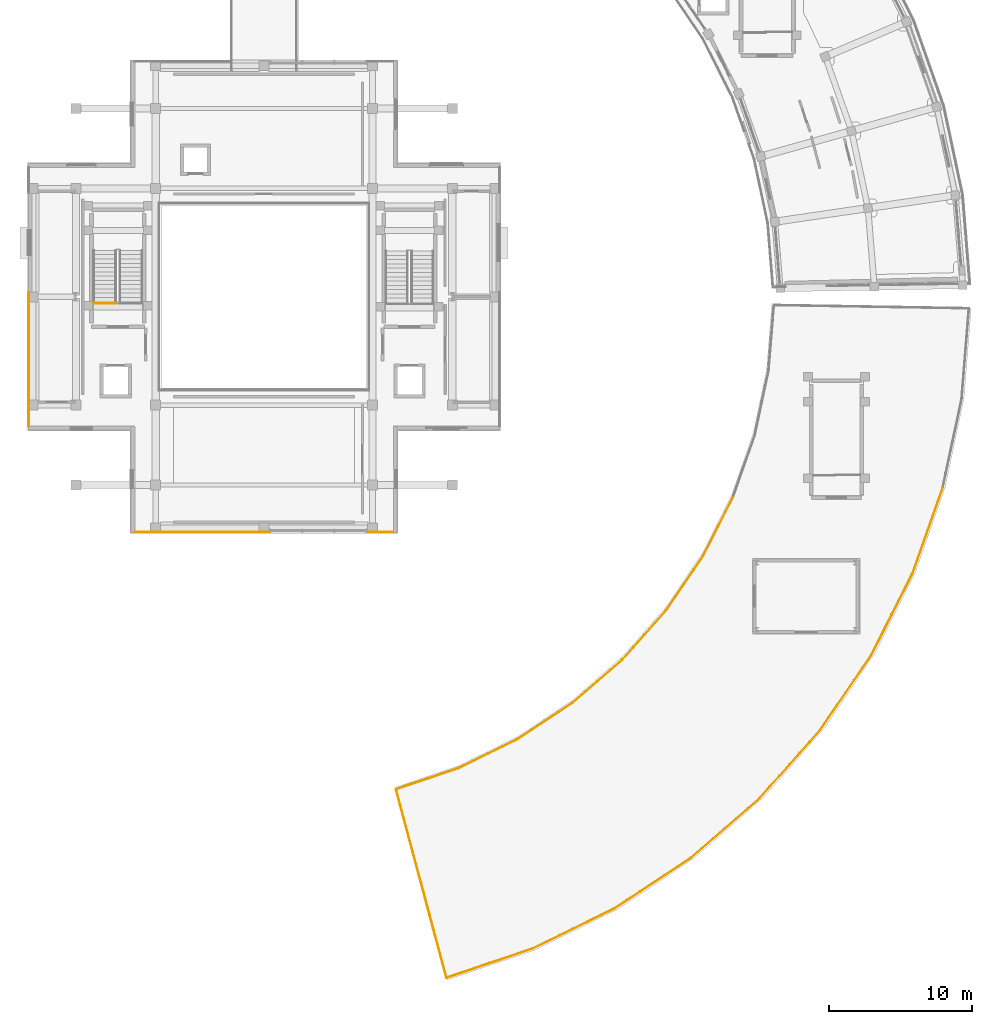
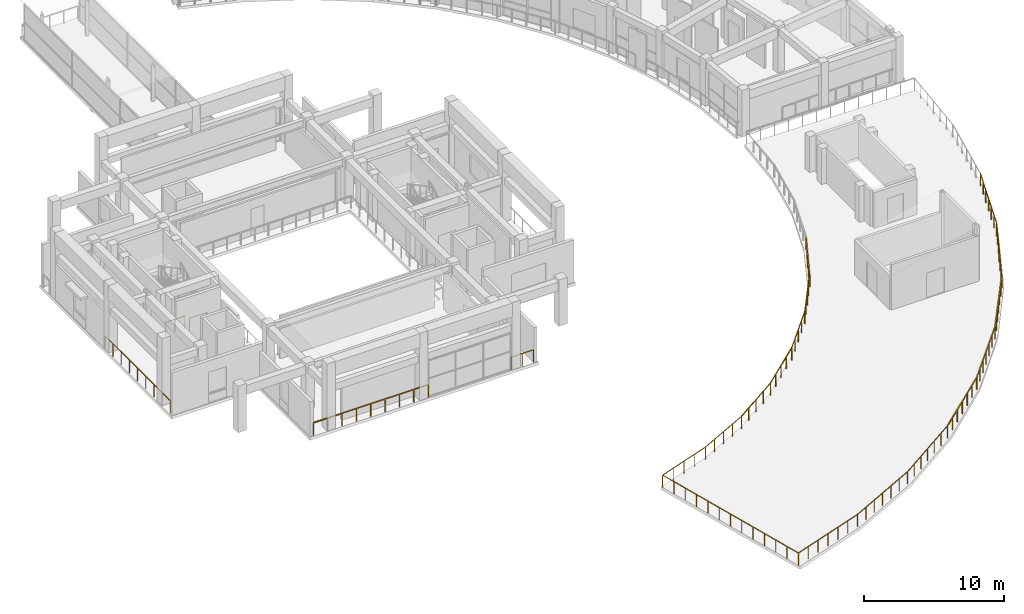
# One storey, part 23 of 29: 20 railings.
"""IFC4 building model written with IfcOpenShell, lengths in metres."""

from ifc_helpers import new_model, si_unit, direction, frame, origin, origin_2d, place, context, subcontext, project, spatial, rectangle, extrude, material, layer, layer_set, type_object, element, save


model = new_model("IFC4")

# Units and contexts
model_context = context("Model", 3, precision=1e-05, world=origin(), true_north=direction((0.0, 1.0)))
body_context = subcontext(model_context, "Body", "Model", "MODEL_VIEW")
ifc_project = project(units=[si_unit("LENGTHUNIT", "METRE"), si_unit("AREAUNIT", "SQUARE_METRE"), si_unit("VOLUMEUNIT", "CUBIC_METRE"), si_unit("PLANEANGLEUNIT", "RADIAN"), si_unit("MASSUNIT", "GRAM", prefix="KILO")], contexts=[model_context])

# Site, building, storey
site_placement = place(None, origin())
site = spatial("IfcSite", under=ifc_project, at=site_placement, CompositionType="ELEMENT")
building_placement = place(site_placement, origin())
building = spatial("IfcBuilding", under=site, at=building_placement, Name="Saryqyr Civic Hall", CompositionType="ELEMENT")
storey_placement = place(building_placement, frame((0.0, 0.0, 25.35009765625)))
storey = spatial("IfcBuildingStorey", under=building, at=storey_placement, Name="L06", CompositionType="ELEMENT", Elevation=25.35009765625)

# Railings
ifc_material_1 = material(Name="Stainless steel and laminated glass", Category="steel")
ifc_layer_1 = layer(ifc_material_1, 0.06005859375, Name="Stainless steel and laminated glass")
ifc_layer_set_1 = layer_set([ifc_layer_1], Name="Stainless steel and laminated glass")
railing_type_1 = type_object("IfcRailingType", Name="ENV-RLG-BAL-1100", PredefinedType="BALUSTRADE", material=ifc_layer_set_1)
railing_1_placement = place(storey_placement, frame((69.7958984375, 36.24462890625, 0.0)))
element("IfcRailing", 1, at=railing_1_placement, inside=storey, type_object=railing_type_1, Name="Perimeter safety balustrade V5-RG-L06-G01", PredefinedType="BALUSTRADE", context=body_context, shape_type="SweptSolid", body=[
    extrude(rectangle(XDim=0.048095703125, YDim=0.048095703125, at=origin_2d()), frame((0.0, 0.0, 1.076171875), z_axis=(0.947200963507, 0.320640507002, 0.0), x_axis=(-0.320640507002, 0.947200963507, 0.0)), (0.0, 0.0, 1.0), 6.38525390625),
    extrude(rectangle(XDim=0.0419921875, YDim=0.0419921875, at=origin_2d()), origin(), (0.0, 0.0, 1.0), 1.052001953125),
    extrude(rectangle(XDim=0.0419921875, YDim=0.0419921875, at=origin_2d()), frame((1.008056640625, 0.34130859375, 0.0)), (0.0, 0.0, 1.0), 1.052001953125),
    extrude(rectangle(XDim=0.0419921875, YDim=0.0419921875, at=origin_2d()), frame((2.01611328125, 0.682373046875, 0.0)), (0.0, 0.0, 1.0), 1.052001953125),
    extrude(rectangle(XDim=0.0419921875, YDim=0.0419921875, at=origin_2d()), frame((3.02392578125, 1.023681640625, 0.0)), (0.0, 0.0, 1.0), 1.052001953125),
    extrude(rectangle(XDim=0.0419921875, YDim=0.0419921875, at=origin_2d()), frame((4.031982421875, 1.364990234375, 0.0)), (0.0, 0.0, 1.0), 1.052001953125),
    extrude(rectangle(XDim=0.0419921875, YDim=0.0419921875, at=origin_2d()), frame((5.0400390625, 1.7060546875, 0.0)), (0.0, 0.0, 1.0), 1.052001953125),
    extrude(rectangle(XDim=0.0419921875, YDim=0.0419921875, at=origin_2d()), frame((6.048095703125, 2.04736328125, 0.0)), (0.0, 0.0, 1.0), 1.052001953125),
])
railing_2_placement = place(storey_placement, frame((75.843994140625, 38.2919921875, 0.0)))
element("IfcRailing", 2, at=railing_2_placement, inside=storey, type_object=railing_type_1, Name="Perimeter safety balustrade V5-RG-L06-G02", PredefinedType="BALUSTRADE", context=body_context, shape_type="SweptSolid", body=[
    extrude(rectangle(XDim=0.048095703125, YDim=0.048095703125, at=origin_2d()), frame((0.0, 0.0, 1.076171875), z_axis=(0.89796220007, 0.440072593154, 0.0), x_axis=(-0.440072593154, 0.89796220007, 0.0)), (0.0, 0.0, 1.0), 6.385498046875),
    extrude(rectangle(XDim=0.0419921875, YDim=0.0419921875, at=origin_2d()), origin(), (0.0, 0.0, 1.0), 1.052001953125),
    extrude(rectangle(XDim=0.0419921875, YDim=0.0419921875, at=origin_2d()), frame((0.95556640625, 0.46826171875, 0.0)), (0.0, 0.0, 1.0), 1.052001953125),
    extrude(rectangle(XDim=0.0419921875, YDim=0.0419921875, at=origin_2d()), frame((1.911376953125, 0.936767578125, 0.0)), (0.0, 0.0, 1.0), 1.052001953125),
    extrude(rectangle(XDim=0.0419921875, YDim=0.0419921875, at=origin_2d()), frame((2.866943359375, 1.405029296875, 0.0)), (0.0, 0.0, 1.0), 1.052001953125),
    extrude(rectangle(XDim=0.0419921875, YDim=0.0419921875, at=origin_2d()), frame((3.822509765625, 1.873291015625, 0.0)), (0.0, 0.0, 1.0), 1.052001953125),
    extrude(rectangle(XDim=0.0419921875, YDim=0.0419921875, at=origin_2d()), frame((4.7783203125, 2.341796875, 0.0)), (0.0, 0.0, 1.0), 1.052001953125),
    extrude(rectangle(XDim=0.0419921875, YDim=0.0419921875, at=origin_2d()), frame((5.73388671875, 2.81005859375, 0.0)), (0.0, 0.0, 1.0), 1.052001953125),
])
railing_3_placement = place(storey_placement, frame((81.577880859375, 41.10205078125, 0.0)))
element("IfcRailing", 3, at=railing_3_placement, inside=storey, type_object=railing_type_1, Name="Perimeter safety balustrade V5-RG-L06-G03", PredefinedType="BALUSTRADE", context=body_context, shape_type="SweptSolid", body=[
    extrude(rectangle(XDim=0.048095703125, YDim=0.048095703125, at=origin_2d()), frame((0.0, 0.0, 1.076171875), z_axis=(0.833763962863, 0.552121050342, 0.0), x_axis=(-0.552121050342, 0.833763962863, 0.0)), (0.0, 0.0, 1.0), 6.38525390625),
    extrude(rectangle(XDim=0.0419921875, YDim=0.0419921875, at=origin_2d()), origin(), (0.0, 0.0, 1.0), 1.052001953125),
    extrude(rectangle(XDim=0.0419921875, YDim=0.0419921875, at=origin_2d()), frame((0.88720703125, 0.587646484375, 0.0)), (0.0, 0.0, 1.0), 1.052001953125),
    extrude(rectangle(XDim=0.0419921875, YDim=0.0419921875, at=origin_2d()), frame((1.774658203125, 1.175048828125, 0.0)), (0.0, 0.0, 1.0), 1.052001953125),
    extrude(rectangle(XDim=0.0419921875, YDim=0.0419921875, at=origin_2d()), frame((2.661865234375, 1.7626953125, 0.0)), (0.0, 0.0, 1.0), 1.052001953125),
    extrude(rectangle(XDim=0.0419921875, YDim=0.0419921875, at=origin_2d()), frame((3.549072265625, 2.350341796875, 0.0)), (0.0, 0.0, 1.0), 1.052001953125),
    extrude(rectangle(XDim=0.0419921875, YDim=0.0419921875, at=origin_2d()), frame((4.4365234375, 2.937744140625, 0.0)), (0.0, 0.0, 1.0), 1.052001953125),
    extrude(rectangle(XDim=0.0419921875, YDim=0.0419921875, at=origin_2d()), frame((5.32373046875, 3.525390625, 0.0)), (0.0, 0.0, 1.0), 1.052001953125),
])
railing_4_placement = place(storey_placement, frame((86.901611328125, 44.62744140625, 0.0)))
element("IfcRailing", 4, at=railing_4_placement, inside=storey, type_object=railing_type_1, Name="Perimeter safety balustrade V5-RG-L06-G04", PredefinedType="BALUSTRADE", context=body_context, shape_type="SweptSolid", body=[
    extrude(rectangle(XDim=0.048095703125, YDim=0.048095703125, at=origin_2d()), frame((0.0, 0.0, 1.076171875), z_axis=(0.755666374545, 0.654956739321, 0.0), x_axis=(-0.654956739321, 0.755666374545, 0.0)), (0.0, 0.0, 1.0), 6.38525390625),
    extrude(rectangle(XDim=0.0419921875, YDim=0.0419921875, at=origin_2d()), origin(), (0.0, 0.0, 1.0), 1.052001953125),
    extrude(rectangle(XDim=0.0419921875, YDim=0.0419921875, at=origin_2d()), frame((0.80419921875, 0.697021484375, 0.0)), (0.0, 0.0, 1.0), 1.052001953125),
    extrude(rectangle(XDim=0.0419921875, YDim=0.0419921875, at=origin_2d()), frame((1.6083984375, 1.39404296875, 0.0)), (0.0, 0.0, 1.0), 1.052001953125),
    extrude(rectangle(XDim=0.0419921875, YDim=0.0419921875, at=origin_2d()), frame((2.41259765625, 2.091064453125, 0.0)), (0.0, 0.0, 1.0), 1.052001953125),
    extrude(rectangle(XDim=0.0419921875, YDim=0.0419921875, at=origin_2d()), frame((3.216796875, 2.7880859375, 0.0)), (0.0, 0.0, 1.0), 1.052001953125),
    extrude(rectangle(XDim=0.0419921875, YDim=0.0419921875, at=origin_2d()), frame((4.02099609375, 3.485107421875, 0.0)), (0.0, 0.0, 1.0), 1.052001953125),
    extrude(rectangle(XDim=0.0419921875, YDim=0.0419921875, at=origin_2d()), frame((4.8251953125, 4.18212890625, 0.0)), (0.0, 0.0, 1.0), 1.052001953125),
])
railing_5_placement = place(storey_placement, frame((91.726806640625, 48.8095703125, 0.0)))
element("IfcRailing", 5, at=railing_5_placement, inside=storey, type_object=railing_type_1, Name="Perimeter safety balustrade V5-RG-L06-G05", PredefinedType="BALUSTRADE", context=body_context, shape_type="SweptSolid", body=[
    extrude(rectangle(XDim=0.048095703125, YDim=0.048095703125, at=origin_2d()), frame((0.0, 0.0, 1.076171875), z_axis=(0.664928490905, 0.746907023654, 0.0), x_axis=(-0.746907023654, 0.664928490905, 0.0)), (0.0, 0.0, 1.0), 6.385009765625),
    extrude(rectangle(XDim=0.0419921875, YDim=0.0419921875, at=origin_2d()), origin(), (0.0, 0.0, 1.0), 1.052001953125),
    extrude(rectangle(XDim=0.0419921875, YDim=0.0419921875, at=origin_2d()), frame((0.70751953125, 0.794921875, 0.0)), (0.0, 0.0, 1.0), 1.052001953125),
    extrude(rectangle(XDim=0.0419921875, YDim=0.0419921875, at=origin_2d()), frame((1.415283203125, 1.589599609375, 0.0)), (0.0, 0.0, 1.0), 1.052001953125),
    extrude(rectangle(XDim=0.0419921875, YDim=0.0419921875, at=origin_2d()), frame((2.122802734375, 2.384521484375, 0.0)), (0.0, 0.0, 1.0), 1.052001953125),
    extrude(rectangle(XDim=0.0419921875, YDim=0.0419921875, at=origin_2d()), frame((2.830322265625, 3.179443359375, 0.0)), (0.0, 0.0, 1.0), 1.052001953125),
    extrude(rectangle(XDim=0.0419921875, YDim=0.0419921875, at=origin_2d()), frame((3.5380859375, 3.97412109375, 0.0)), (0.0, 0.0, 1.0), 1.052001953125),
    extrude(rectangle(XDim=0.0419921875, YDim=0.0419921875, at=origin_2d()), frame((4.24560546875, 4.76904296875, 0.0)), (0.0, 0.0, 1.0), 1.052001953125),
])
railing_6_placement = place(storey_placement, frame((95.972412109375, 53.57861328125, 0.0)))
element("IfcRailing", 6, at=railing_6_placement, inside=storey, type_object=railing_type_1, Name="Perimeter safety balustrade V5-RG-L06-G06", PredefinedType="BALUSTRADE", context=body_context, shape_type="SweptSolid", body=[
    extrude(rectangle(XDim=0.048095703125, YDim=0.048095703125, at=origin_2d()), frame((0.0, 0.0, 1.076171875), z_axis=(0.563150547004, 0.826354319532, 0.0), x_axis=(-0.826354319532, 0.563150547004, 0.0)), (0.0, 0.0, 1.0), 6.385498046875),
    extrude(rectangle(XDim=0.0419921875, YDim=0.0419921875, at=origin_2d()), origin(), (0.0, 0.0, 1.0), 1.052001953125),
    extrude(rectangle(XDim=0.0419921875, YDim=0.0419921875, at=origin_2d()), frame((0.599365234375, 0.87939453125, 0.0)), (0.0, 0.0, 1.0), 1.052001953125),
    extrude(rectangle(XDim=0.0419921875, YDim=0.0419921875, at=origin_2d()), frame((1.19873046875, 1.7587890625, 0.0)), (0.0, 0.0, 1.0), 1.052001953125),
    extrude(rectangle(XDim=0.0419921875, YDim=0.0419921875, at=origin_2d()), frame((1.7978515625, 2.63818359375, 0.0)), (0.0, 0.0, 1.0), 1.052001953125),
    extrude(rectangle(XDim=0.0419921875, YDim=0.0419921875, at=origin_2d()), frame((2.397216796875, 3.517822265625, 0.0)), (0.0, 0.0, 1.0), 1.052001953125),
    extrude(rectangle(XDim=0.0419921875, YDim=0.0419921875, at=origin_2d()), frame((2.99658203125, 4.397216796875, 0.0)), (0.0, 0.0, 1.0), 1.052001953125),
    extrude(rectangle(XDim=0.0419921875, YDim=0.0419921875, at=origin_2d()), frame((3.595947265625, 5.276611328125, 0.0)), (0.0, 0.0, 1.0), 1.052001953125),
])
railing_7_placement = place(storey_placement, frame((99.568359375, 58.855224609375, 0.0)))
element("IfcRailing", 7, at=railing_7_placement, inside=storey, type_object=railing_type_1, Name="Perimeter safety balustrade V5-RG-L06-G07", PredefinedType="BALUSTRADE", context=body_context, shape_type="SweptSolid", body=[
    extrude(rectangle(XDim=0.048095703125, YDim=0.048095703125, at=origin_2d()), frame((0.0, 0.0, 1.076171875), z_axis=(0.451902725354, 0.89206722102, 0.0), x_axis=(-0.89206722102, 0.451902725354, 0.0)), (0.0, 0.0, 1.0), 6.38525390625),
    extrude(rectangle(XDim=0.0419921875, YDim=0.0419921875, at=origin_2d()), origin(), (0.0, 0.0, 1.0), 1.052001953125),
    extrude(rectangle(XDim=0.0419921875, YDim=0.0419921875, at=origin_2d()), frame((0.48095703125, 0.94921875, 0.0)), (0.0, 0.0, 1.0), 1.052001953125),
    extrude(rectangle(XDim=0.0419921875, YDim=0.0419921875, at=origin_2d()), frame((0.9619140625, 1.898681640625, 0.0)), (0.0, 0.0, 1.0), 1.052001953125),
    extrude(rectangle(XDim=0.0419921875, YDim=0.0419921875, at=origin_2d()), frame((1.44287109375, 2.84814453125, 0.0)), (0.0, 0.0, 1.0), 1.052001953125),
    extrude(rectangle(XDim=0.0419921875, YDim=0.0419921875, at=origin_2d()), frame((1.923583984375, 3.79736328125, 0.0)), (0.0, 0.0, 1.0), 1.052001953125),
    extrude(rectangle(XDim=0.0419921875, YDim=0.0419921875, at=origin_2d()), frame((2.404541015625, 4.74658203125, 0.0)), (0.0, 0.0, 1.0), 1.052001953125),
    extrude(rectangle(XDim=0.0419921875, YDim=0.0419921875, at=origin_2d()), frame((2.885498046875, 5.696044921875, 0.0)), (0.0, 0.0, 1.0), 1.052001953125),
])
railing_8_placement = place(storey_placement, frame((102.453857421875, 64.55126953125, 0.0)))
element("IfcRailing", 8, at=railing_8_placement, inside=storey, type_object=railing_type_1, Name="Perimeter safety balustrade V5-RG-L06-G08", PredefinedType="BALUSTRADE", context=body_context, shape_type="SweptSolid", body=[
    extrude(rectangle(XDim=0.048095703125, YDim=0.048095703125, at=origin_2d()), frame((0.0, 0.0, 1.076171875), z_axis=(0.333176087324, 0.94286462169, 0.0), x_axis=(-0.94286462169, 0.333176087324, 0.0)), (0.0, 0.0, 1.0), 6.38525390625),
    extrude(rectangle(XDim=0.0419921875, YDim=0.0419921875, at=origin_2d()), origin(), (0.0, 0.0, 1.0), 1.052001953125),
    extrude(rectangle(XDim=0.0419921875, YDim=0.0419921875, at=origin_2d()), frame((0.3544921875, 1.00341796875, 0.0)), (0.0, 0.0, 1.0), 1.052001953125),
    extrude(rectangle(XDim=0.0419921875, YDim=0.0419921875, at=origin_2d()), frame((0.709228515625, 2.0068359375, 0.0)), (0.0, 0.0, 1.0), 1.052001953125),
    extrude(rectangle(XDim=0.0419921875, YDim=0.0419921875, at=origin_2d()), frame((1.063720703125, 3.01025390625, 0.0)), (0.0, 0.0, 1.0), 1.052001953125),
    extrude(rectangle(XDim=0.0419921875, YDim=0.0419921875, at=origin_2d()), frame((1.418212890625, 4.013671875, 0.0)), (0.0, 0.0, 1.0), 1.052001953125),
    extrude(rectangle(XDim=0.0419921875, YDim=0.0419921875, at=origin_2d()), frame((1.77294921875, 5.01708984375, 0.0)), (0.0, 0.0, 1.0), 1.052001953125),
    extrude(rectangle(XDim=0.0419921875, YDim=0.0419921875, at=origin_2d()), frame((2.12744140625, 6.0205078125, 0.0)), (0.0, 0.0, 1.0), 1.052001953125),
])
railing_9_placement = place(storey_placement, frame((89.876953125, 69.9326171875, 0.0)))
element("IfcRailing", 9, at=railing_9_placement, inside=storey, type_object=railing_type_1, Name="Perimeter safety balustrade V5-RG-L06-G15", PredefinedType="BALUSTRADE", context=body_context, shape_type="SweptSolid", body=[
    extrude(rectangle(XDim=0.048095703125, YDim=0.048095703125, at=origin_2d()), frame((0.0, 0.0, 1.076171875), z_axis=(-0.451922728411, -0.892057087605, 0.0), x_axis=(0.892057087605, -0.451922728411, 0.0)), (0.0, 0.0, 1.0), 4.618408203125),
    extrude(rectangle(XDim=0.0419921875, YDim=0.0419921875, at=origin_2d()), origin(), (0.0, 0.0, 1.0), 1.052001953125),
    extrude(rectangle(XDim=0.0419921875, YDim=0.0419921875, at=origin_2d()), frame((-0.521728515625, -1.030029296875, 0.0)), (0.0, 0.0, 1.0), 1.052001953125),
    extrude(rectangle(XDim=0.0419921875, YDim=0.0419921875, at=origin_2d()), frame((-1.04345703125, -2.06005859375, 0.0)), (0.0, 0.0, 1.0), 1.052001953125),
    extrude(rectangle(XDim=0.0419921875, YDim=0.0419921875, at=origin_2d()), frame((-1.5654296875, -3.08984375, 0.0)), (0.0, 0.0, 1.0), 1.052001953125),
    extrude(rectangle(XDim=0.0419921875, YDim=0.0419921875, at=origin_2d()), frame((-2.087158203125, -4.119873046875, 0.0)), (0.0, 0.0, 1.0), 1.052001953125),
])
railing_10_placement = place(storey_placement, frame((87.789794921875, 65.812744140625, 0.0)))
element("IfcRailing", 10, at=railing_10_placement, inside=storey, type_object=railing_type_1, Name="Perimeter safety balustrade V5-RG-L06-G16", PredefinedType="BALUSTRADE", context=body_context, shape_type="SweptSolid", body=[
    extrude(rectangle(XDim=0.048095703125, YDim=0.048095703125, at=origin_2d()), frame((0.0, 0.0, 1.076171875), z_axis=(-0.563125214189, -0.826371582973, 0.0), x_axis=(0.826371582973, -0.563125214189, 0.0)), (0.0, 0.0, 1.0), 4.61865234375),
    extrude(rectangle(XDim=0.0419921875, YDim=0.0419921875, at=origin_2d()), origin(), (0.0, 0.0, 1.0), 1.052001953125),
    extrude(rectangle(XDim=0.0419921875, YDim=0.0419921875, at=origin_2d()), frame((-0.650146484375, -0.9541015625, 0.0)), (0.0, 0.0, 1.0), 1.052001953125),
    extrude(rectangle(XDim=0.0419921875, YDim=0.0419921875, at=origin_2d()), frame((-1.30029296875, -1.908203125, 0.0)), (0.0, 0.0, 1.0), 1.052001953125),
    extrude(rectangle(XDim=0.0419921875, YDim=0.0419921875, at=origin_2d()), frame((-1.95068359375, -2.862548828125, 0.0)), (0.0, 0.0, 1.0), 1.052001953125),
    extrude(rectangle(XDim=0.0419921875, YDim=0.0419921875, at=origin_2d()), frame((-2.600830078125, -3.816650390625, 0.0)), (0.0, 0.0, 1.0), 1.052001953125),
])
railing_11_placement = place(storey_placement, frame((85.18896484375, 61.99609375, 0.0)))
element("IfcRailing", 11, at=railing_11_placement, inside=storey, type_object=railing_type_1, Name="Perimeter safety balustrade V5-RG-L06-G17", PredefinedType="BALUSTRADE", context=body_context, shape_type="SweptSolid", body=[
    extrude(rectangle(XDim=0.048095703125, YDim=0.048095703125, at=origin_2d()), frame((0.0, 0.0, 1.076171875), z_axis=(-0.66495094863, -0.746887030224, 0.0), x_axis=(0.746887030224, -0.66495094863, 0.0)), (0.0, 0.0, 1.0), 4.618408203125),
    extrude(rectangle(XDim=0.0419921875, YDim=0.0419921875, at=origin_2d()), origin(), (0.0, 0.0, 1.0), 1.052001953125),
    extrude(rectangle(XDim=0.0419921875, YDim=0.0419921875, at=origin_2d()), frame((-0.767822265625, -0.8623046875, 0.0)), (0.0, 0.0, 1.0), 1.052001953125),
    extrude(rectangle(XDim=0.0419921875, YDim=0.0419921875, at=origin_2d()), frame((-1.53564453125, -1.724609375, 0.0)), (0.0, 0.0, 1.0), 1.052001953125),
    extrude(rectangle(XDim=0.0419921875, YDim=0.0419921875, at=origin_2d()), frame((-2.30322265625, -2.587158203125, 0.0)), (0.0, 0.0, 1.0), 1.052001953125),
    extrude(rectangle(XDim=0.0419921875, YDim=0.0419921875, at=origin_2d()), frame((-3.071044921875, -3.449462890625, 0.0)), (0.0, 0.0, 1.0), 1.052001953125),
])
railing_12_placement = place(storey_placement, frame((82.117919921875, 58.546630859375, 0.0)))
element("IfcRailing", 12, at=railing_12_placement, inside=storey, type_object=railing_type_1, Name="Perimeter safety balustrade V5-RG-L06-G18", PredefinedType="BALUSTRADE", context=body_context, shape_type="SweptSolid", body=[
    extrude(rectangle(XDim=0.048095703125, YDim=0.048095703125, at=origin_2d()), frame((0.0, 0.0, 1.076171875), z_axis=(-0.7556629195, -0.654960725611, 0.0), x_axis=(0.654960725611, -0.7556629195, 0.0)), (0.0, 0.0, 1.0), 4.618408203125),
    extrude(rectangle(XDim=0.0419921875, YDim=0.0419921875, at=origin_2d()), origin(), (0.0, 0.0, 1.0), 1.052001953125),
    extrude(rectangle(XDim=0.0419921875, YDim=0.0419921875, at=origin_2d()), frame((-0.87255859375, -0.75634765625, 0.0)), (0.0, 0.0, 1.0), 1.052001953125),
    extrude(rectangle(XDim=0.0419921875, YDim=0.0419921875, at=origin_2d()), frame((-1.7451171875, -1.512451171875, 0.0)), (0.0, 0.0, 1.0), 1.052001953125),
    extrude(rectangle(XDim=0.0419921875, YDim=0.0419921875, at=origin_2d()), frame((-2.617431640625, -2.2685546875, 0.0)), (0.0, 0.0, 1.0), 1.052001953125),
    extrude(rectangle(XDim=0.0419921875, YDim=0.0419921875, at=origin_2d()), frame((-3.489990234375, -3.02490234375, 0.0)), (0.0, 0.0, 1.0), 1.052001953125),
])
railing_13_placement = place(storey_placement, frame((78.6279296875, 55.521728515625, 0.0)))
element("IfcRailing", 13, at=railing_13_placement, inside=storey, type_object=railing_type_1, Name="Perimeter safety balustrade V5-RG-L06-G19", PredefinedType="BALUSTRADE", context=body_context, shape_type="SweptSolid", body=[
    extrude(rectangle(XDim=0.048095703125, YDim=0.048095703125, at=origin_2d()), frame((0.0, 0.0, 1.076171875), z_axis=(-0.833762233198, -0.552123662319, 0.0), x_axis=(0.552123662319, -0.833762233198, 0.0)), (0.0, 0.0, 1.0), 4.61865234375),
    extrude(rectangle(XDim=0.0419921875, YDim=0.0419921875, at=origin_2d()), origin(), (0.0, 0.0, 1.0), 1.052001953125),
    extrude(rectangle(XDim=0.0419921875, YDim=0.0419921875, at=origin_2d()), frame((-0.962646484375, -0.637451171875, 0.0)), (0.0, 0.0, 1.0), 1.052001953125),
    extrude(rectangle(XDim=0.0419921875, YDim=0.0419921875, at=origin_2d()), frame((-1.92529296875, -1.27490234375, 0.0)), (0.0, 0.0, 1.0), 1.052001953125),
    extrude(rectangle(XDim=0.0419921875, YDim=0.0419921875, at=origin_2d()), frame((-2.88818359375, -1.91259765625, 0.0)), (0.0, 0.0, 1.0), 1.052001953125),
    extrude(rectangle(XDim=0.0419921875, YDim=0.0419921875, at=origin_2d()), frame((-3.850830078125, -2.550048828125, 0.0)), (0.0, 0.0, 1.0), 1.052001953125),
])
railing_14_placement = place(storey_placement, frame((74.777099609375, 52.9716796875, 0.0)))
element("IfcRailing", 14, at=railing_14_placement, inside=storey, type_object=railing_type_1, Name="Perimeter safety balustrade V5-RG-L06-G20", PredefinedType="BALUSTRADE", context=body_context, shape_type="SweptSolid", body=[
    extrude(rectangle(XDim=0.048095703125, YDim=0.048095703125, at=origin_2d()), frame((0.0, 0.0, 1.076171875), z_axis=(-0.89798257299, -0.440031020049, 0.0), x_axis=(0.440031020049, -0.89798257299, 0.0)), (0.0, 0.0, 1.0), 4.618408203125),
    extrude(rectangle(XDim=0.0419921875, YDim=0.0419921875, at=origin_2d()), origin(), (0.0, 0.0, 1.0), 1.052001953125),
    extrude(rectangle(XDim=0.0419921875, YDim=0.0419921875, at=origin_2d()), frame((-1.036865234375, -0.508056640625, 0.0)), (0.0, 0.0, 1.0), 1.052001953125),
    extrude(rectangle(XDim=0.0419921875, YDim=0.0419921875, at=origin_2d()), frame((-2.07373046875, -1.01611328125, 0.0)), (0.0, 0.0, 1.0), 1.052001953125),
    extrude(rectangle(XDim=0.0419921875, YDim=0.0419921875, at=origin_2d()), frame((-3.1103515625, -1.524169921875, 0.0)), (0.0, 0.0, 1.0), 1.052001953125),
    extrude(rectangle(XDim=0.0419921875, YDim=0.0419921875, at=origin_2d()), frame((-4.147216796875, -2.0322265625, 0.0)), (0.0, 0.0, 1.0), 1.052001953125),
])
railing_15_placement = place(storey_placement, frame((70.6298828125, 50.939453125, 0.0)))
element("IfcRailing", 15, at=railing_15_placement, inside=storey, type_object=railing_type_1, Name="Perimeter safety balustrade V5-RG-L06-G21", PredefinedType="BALUSTRADE", context=body_context, shape_type="SweptSolid", body=[
    extrude(rectangle(XDim=0.048095703125, YDim=0.048095703125, at=origin_2d()), frame((0.0, 0.0, 1.076171875), z_axis=(-0.947192751983, -0.320664763563, 0.0), x_axis=(0.320664763563, -0.947192751983, 0.0)), (0.0, 0.0, 1.0), 4.618408203125),
    extrude(rectangle(XDim=0.0419921875, YDim=0.0419921875, at=origin_2d()), origin(), (0.0, 0.0, 1.0), 1.052001953125),
    extrude(rectangle(XDim=0.0419921875, YDim=0.0419921875, at=origin_2d()), frame((-1.09375, -0.3701171875, 0.0)), (0.0, 0.0, 1.0), 1.052001953125),
    extrude(rectangle(XDim=0.0419921875, YDim=0.0419921875, at=origin_2d()), frame((-2.187255859375, -0.740478515625, 0.0)), (0.0, 0.0, 1.0), 1.052001953125),
    extrude(rectangle(XDim=0.0419921875, YDim=0.0419921875, at=origin_2d()), frame((-3.28076171875, -1.11083984375, 0.0)), (0.0, 0.0, 1.0), 1.052001953125),
    extrude(rectangle(XDim=0.0419921875, YDim=0.0419921875, at=origin_2d()), frame((-4.37451171875, -1.48095703125, 0.0)), (0.0, 0.0, 1.0), 1.052001953125),
])
railing_16_placement = place(storey_placement, frame((66.25537109375, 49.45849609375, 0.0)))
element("IfcRailing", 16, at=railing_16_placement, inside=storey, type_object=railing_type_1, Name="Perimeter safety balustrade V5-RG-L06-G22", PredefinedType="BALUSTRADE", context=body_context, shape_type="SweptSolid", body=[
    extrude(rectangle(XDim=0.048095703125, YDim=0.048095703125, at=origin_2d()), frame((0.0, 0.0, 1.076171875), z_axis=(0.258811017755, -0.965927977175, 0.0), x_axis=(0.965927977175, 0.258811017755, 0.0)), (0.0, 0.0, 1.0), 13.679931640625),
    extrude(rectangle(XDim=0.0419921875, YDim=0.0419921875, at=origin_2d()), origin(), (0.0, 0.0, 1.0), 1.052001953125),
    extrude(rectangle(XDim=0.0419921875, YDim=0.0419921875, at=origin_2d()), frame((0.294921875, -1.10107421875, 0.0)), (0.0, 0.0, 1.0), 1.052001953125),
    extrude(rectangle(XDim=0.0419921875, YDim=0.0419921875, at=origin_2d()), frame((0.590087890625, -2.202392578125, 0.0)), (0.0, 0.0, 1.0), 1.052001953125),
    extrude(rectangle(XDim=0.0419921875, YDim=0.0419921875, at=origin_2d()), frame((0.88525390625, -3.303466796875, 0.0)), (0.0, 0.0, 1.0), 1.052001953125),
    extrude(rectangle(XDim=0.0419921875, YDim=0.0419921875, at=origin_2d()), frame((1.18017578125, -4.404541015625, 0.0)), (0.0, 0.0, 1.0), 1.052001953125),
    extrude(rectangle(XDim=0.0419921875, YDim=0.0419921875, at=origin_2d()), frame((1.47509765625, -5.505859375, 0.0)), (0.0, 0.0, 1.0), 1.052001953125),
    extrude(rectangle(XDim=0.0419921875, YDim=0.0419921875, at=origin_2d()), frame((1.770263671875, -6.60693359375, 0.0)), (0.0, 0.0, 1.0), 1.052001953125),
    extrude(rectangle(XDim=0.0419921875, YDim=0.0419921875, at=origin_2d()), frame((2.0654296875, -7.7080078125, 0.0)), (0.0, 0.0, 1.0), 1.052001953125),
    extrude(rectangle(XDim=0.0419921875, YDim=0.0419921875, at=origin_2d()), frame((2.3603515625, -8.809326171875, 0.0)), (0.0, 0.0, 1.0), 1.052001953125),
    extrude(rectangle(XDim=0.0419921875, YDim=0.0419921875, at=origin_2d()), frame((2.6552734375, -9.910400390625, 0.0)), (0.0, 0.0, 1.0), 1.052001953125),
    extrude(rectangle(XDim=0.0419921875, YDim=0.0419921875, at=origin_2d()), frame((2.950439453125, -11.011474609375, 0.0)), (0.0, 0.0, 1.0), 1.052001953125),
    extrude(rectangle(XDim=0.0419921875, YDim=0.0419921875, at=origin_2d()), frame((3.24560546875, -12.11279296875, 0.0)), (0.0, 0.0, 1.0), 1.052001953125),
    extrude(rectangle(XDim=0.0419921875, YDim=0.0419921875, at=origin_2d()), frame((3.54052734375, -13.2138671875, 0.0)), (0.0, 0.0, 1.0), 1.052001953125),
])
ifc_material_2 = material(Name="Warm brushed brass and laminated glass", Category="glass")
ifc_layer_2 = layer(ifc_material_2, 0.06005859375, Name="Warm brushed brass and laminated glass")
ifc_layer_set_2 = layer_set([ifc_layer_2], Name="Warm brushed brass and laminated glass")
railing_type_2 = type_object("IfcRailingType", Name="INT-RLG-BAL-1100", PredefinedType="BALUSTRADE", material=ifc_layer_set_2)
railing_17_placement = place(storey_placement, frame((66.044921875, 67.5, 0.0)))
element("IfcRailing", 17, at=railing_17_placement, inside=storey, type_object=railing_type_2, Name="Interior deck safety balustrade L06-028", PredefinedType="BALUSTRADE", context=body_context, shape_type="SweptSolid", body=[
    extrude(rectangle(XDim=0.048095703125, YDim=0.048095703125, at=origin_2d()), frame((0.0, 0.0, 1.09619140625), z_axis=(-1.0, 0.0, 0.0), x_axis=(0.0, -1.0, 0.0)), (0.0, 0.0, 1.0), 1.8349609375),
    extrude(rectangle(XDim=0.0419921875, YDim=0.0419921875, at=origin_2d()), origin(), (0.0, 0.0, 1.0), 1.072021484375),
    extrude(rectangle(XDim=0.0419921875, YDim=0.0419921875, at=origin_2d()), frame((-0.91748046875, 0.0, 0.0)), (0.0, 0.0, 1.0), 1.072021484375),
    extrude(rectangle(XDim=0.0419921875, YDim=0.0419921875, at=origin_2d()), frame((-1.8349609375, 0.0, 0.0)), (0.0, 0.0, 1.0), 1.072021484375),
])
railing_18_placement = place(storey_placement, frame((57.389892578125, 67.5, 0.0)))
element("IfcRailing", 18, at=railing_18_placement, inside=storey, type_object=railing_type_2, Name="Interior deck safety balustrade L06-029", PredefinedType="BALUSTRADE", context=body_context, shape_type="SweptSolid", body=[
    extrude(rectangle(XDim=0.048095703125, YDim=0.048095703125, at=origin_2d()), frame((0.0, 0.0, 1.09619140625), z_axis=(-1.0, 0.0, 0.0), x_axis=(0.0, -1.0, 0.0)), (0.0, 0.0, 1.0), 9.434814453125),
    extrude(rectangle(XDim=0.0419921875, YDim=0.0419921875, at=origin_2d()), origin(), (0.0, 0.0, 1.0), 1.072021484375),
    extrude(rectangle(XDim=0.0419921875, YDim=0.0419921875, at=origin_2d()), frame((-1.179443359375, 0.0, 0.0)), (0.0, 0.0, 1.0), 1.072021484375),
    extrude(rectangle(XDim=0.0419921875, YDim=0.0419921875, at=origin_2d()), frame((-2.358642578125, 0.0, 0.0)), (0.0, 0.0, 1.0), 1.072021484375),
    extrude(rectangle(XDim=0.0419921875, YDim=0.0419921875, at=origin_2d()), frame((-3.5380859375, 0.0, 0.0)), (0.0, 0.0, 1.0), 1.072021484375),
    extrude(rectangle(XDim=0.0419921875, YDim=0.0419921875, at=origin_2d()), frame((-4.71728515625, 0.0, 0.0)), (0.0, 0.0, 1.0), 1.072021484375),
    extrude(rectangle(XDim=0.0419921875, YDim=0.0419921875, at=origin_2d()), frame((-5.896728515625, 0.0, 0.0)), (0.0, 0.0, 1.0), 1.072021484375),
    extrude(rectangle(XDim=0.0419921875, YDim=0.0419921875, at=origin_2d()), frame((-7.076171875, 0.0, 0.0)), (0.0, 0.0, 1.0), 1.072021484375),
    extrude(rectangle(XDim=0.0419921875, YDim=0.0419921875, at=origin_2d()), frame((-8.25537109375, 0.0, 0.0)), (0.0, 0.0, 1.0), 1.072021484375),
    extrude(rectangle(XDim=0.0419921875, YDim=0.0419921875, at=origin_2d()), frame((-9.434814453125, 0.0, 0.0)), (0.0, 0.0, 1.0), 1.072021484375),
])
railing_19_placement = place(storey_placement, frame((40.5, 74.955078125, 0.0)))
element("IfcRailing", 19, at=railing_19_placement, inside=storey, type_object=railing_type_2, Name="Interior deck safety balustrade L06-030", PredefinedType="BALUSTRADE", context=body_context, shape_type="SweptSolid", body=[
    extrude(rectangle(XDim=0.048095703125, YDim=0.048095703125, at=origin_2d()), frame((0.0, 0.0, 1.09619140625), z_axis=(0.0, 1.0, 0.0), x_axis=(-1.0, 0.0, 0.0)), (0.0, 0.0, 1.0), 9.329833984375),
    extrude(rectangle(XDim=0.0419921875, YDim=0.0419921875, at=origin_2d()), origin(), (0.0, 0.0, 1.0), 1.072021484375),
    extrude(rectangle(XDim=0.0419921875, YDim=0.0419921875, at=origin_2d()), frame((0.0, 1.166259765625, 0.0)), (0.0, 0.0, 1.0), 1.072021484375),
    extrude(rectangle(XDim=0.0419921875, YDim=0.0419921875, at=origin_2d()), frame((0.0, 2.33251953125, 0.0)), (0.0, 0.0, 1.0), 1.072021484375),
    extrude(rectangle(XDim=0.0419921875, YDim=0.0419921875, at=origin_2d()), frame((0.0, 3.498779296875, 0.0)), (0.0, 0.0, 1.0), 1.072021484375),
    extrude(rectangle(XDim=0.0419921875, YDim=0.0419921875, at=origin_2d()), frame((0.0, 4.6650390625, 0.0)), (0.0, 0.0, 1.0), 1.072021484375),
    extrude(rectangle(XDim=0.0419921875, YDim=0.0419921875, at=origin_2d()), frame((0.0, 5.8310546875, 0.0)), (0.0, 0.0, 1.0), 1.072021484375),
    extrude(rectangle(XDim=0.0419921875, YDim=0.0419921875, at=origin_2d()), frame((0.0, 6.997314453125, 0.0)), (0.0, 0.0, 1.0), 1.072021484375),
    extrude(rectangle(XDim=0.0419921875, YDim=0.0419921875, at=origin_2d()), frame((0.0, 8.16357421875, 0.0)), (0.0, 0.0, 1.0), 1.072021484375),
    extrude(rectangle(XDim=0.0419921875, YDim=0.0419921875, at=origin_2d()), frame((0.0, 9.329833984375, 0.0)), (0.0, 0.0, 1.0), 1.072021484375),
])
railing_20_placement = place(storey_placement, frame((45.044921875, 83.550048828125, 0.0)))
element("IfcRailing", 20, at=railing_20_placement, inside=storey, type_object=railing_type_2, Name="Interior deck safety balustrade L06-041", PredefinedType="BALUSTRADE", context=body_context, shape_type="SweptSolid", body=[
    extrude(rectangle(XDim=0.048095703125, YDim=0.048095703125, at=origin_2d()), frame((0.0, 0.0, 1.09619140625), z_axis=(1.0, 0.0, 0.0), x_axis=(0.0, 1.0, 0.0)), (0.0, 0.0, 1.0), 1.60498046875),
    extrude(rectangle(XDim=0.0419921875, YDim=0.0419921875, at=origin_2d()), origin(), (0.0, 0.0, 1.0), 1.072021484375),
    extrude(rectangle(XDim=0.0419921875, YDim=0.0419921875, at=origin_2d()), frame((0.802490234375, 0.0, 0.0)), (0.0, 0.0, 1.0), 1.072021484375),
    extrude(rectangle(XDim=0.0419921875, YDim=0.0419921875, at=origin_2d()), frame((1.60498046875, 0.0, 0.0)), (0.0, 0.0, 1.0), 1.072021484375),
])

save(model, "model.ifc")
